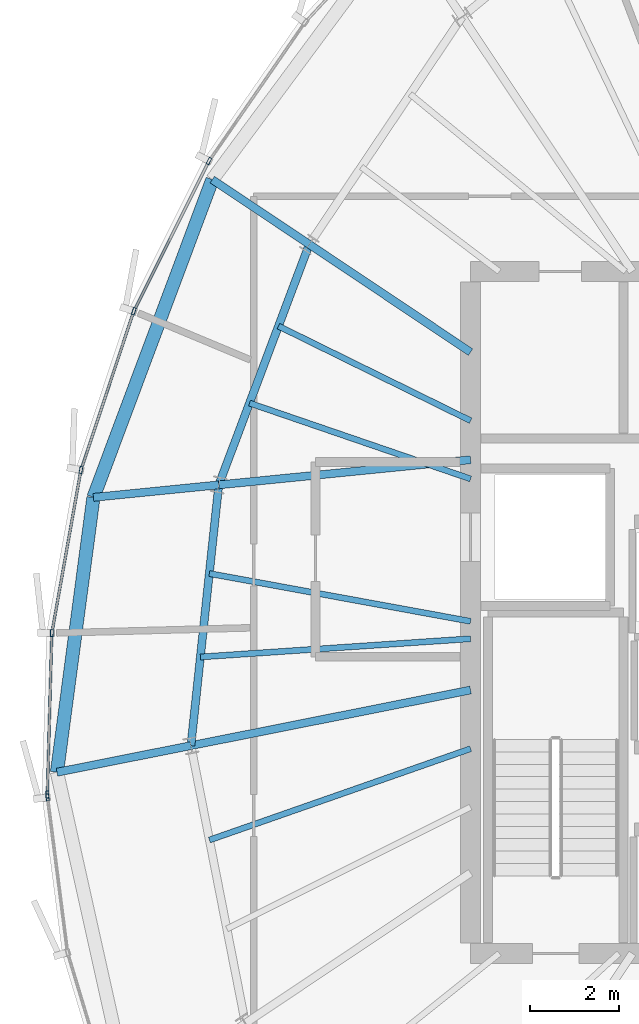
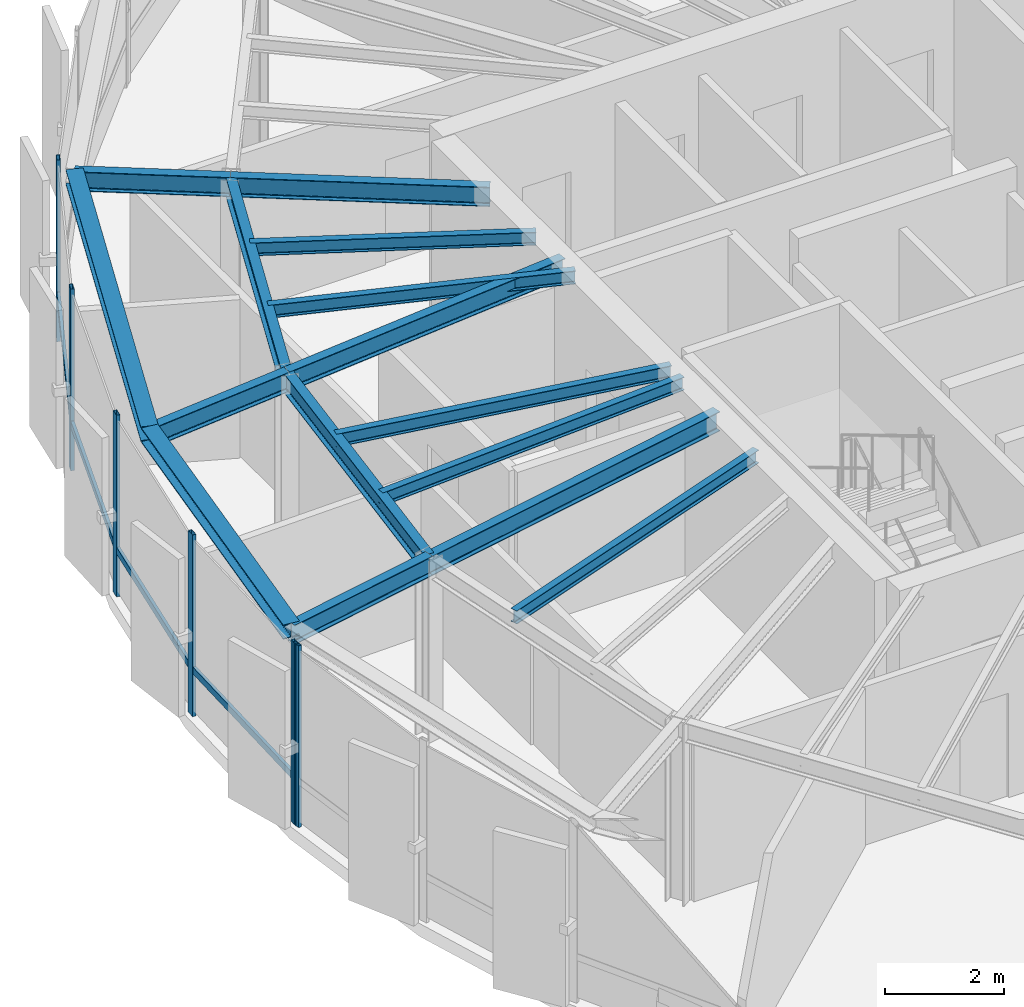
# One storey, part 10 of 25: 15 beams, 10 members, 2 elements without a shape of their own.
"""IFC4 building model written with IfcOpenShell, lengths in metres."""

from ifc_helpers import new_model, si_unit, direction, frame, origin, origin_2d, place, context, subcontext, project, spatial, hollow_rectangle, i_section, extrude, source, transform, mapped, material, layer, layer_set, material_profile, profile_set, type_object, element, aggregate, save


model = new_model("IFC4")

# Units and contexts
model_context = context("Model", 3, precision=1e-05, world=origin(), true_north=direction((0.0, 1.0)))
body_context = subcontext(model_context, "Body", "Model", "MODEL_VIEW")
ifc_project = project(units=[si_unit("LENGTHUNIT", "METRE"), si_unit("AREAUNIT", "SQUARE_METRE"), si_unit("VOLUMEUNIT", "CUBIC_METRE"), si_unit("PLANEANGLEUNIT", "RADIAN"), si_unit("MASSUNIT", "GRAM", prefix="KILO"), si_unit("THERMODYNAMICTEMPERATUREUNIT", "KELVIN")], contexts=[model_context])

# Site, building, storey
site_placement = place(None, origin())
site = spatial("IfcSite", under=ifc_project, at=site_placement, CompositionType="ELEMENT")
building_placement = place(site_placement, origin())
building = spatial("IfcBuilding", under=site, at=building_placement, Name="Kethvar Cultural Tower", CompositionType="ELEMENT")
storey_placement = place(building_placement, frame((0.0, 0.0, 304.300048828125)))
storey = spatial("IfcBuildingStorey", under=building, at=storey_placement, Name="L81", CompositionType="ELEMENT", Elevation=304.300048828125)

# Beams
ifc_material_1 = material(Name="Steel S355J2", Category="steel")
ifc_material_profile_1 = material_profile(ifc_material_1, i_section(OverallWidth=0.135009765625, OverallDepth=0.27001953125, WebThickness=0.006591796875, FlangeThickness=0.01025390625, FilletRadius=0.014892578125, at=origin_2d()), Name="Steel S355J2 — IPE270")
ifc_profile_set_1 = profile_set([ifc_material_profile_1], Name="Steel S355J2 — IPE270")
beam_type_1 = type_object("IfcBeamType", Name="BM-J270", PredefinedType="JOIST", material=ifc_profile_set_1)
shared_shape_1 = source(origin(), body_context, "Body", "SweptSolid", [
    extrude(i_section(OverallWidth=0.135009765625, OverallDepth=0.27001953125, WebThickness=0.006591796875, FlangeThickness=0.01025390625, FilletRadius=0.014892578125, at=origin_2d()), origin(), (0.0, 0.0, 1.0), 4.8359375),
])
beam_1_placement = place(storey_placement, frame((38.0, 32.1318359375, 3.597900390625), z_axis=(-0.897196527088, 0.441631511308, 0.0), x_axis=(-0.441631511308, -0.897196527088, 0.0)))
element("IfcBeam", 1, at=beam_1_placement, inside=storey, type_object=beam_type_1, Name="L81 Composite Floor Joist J-07A", PredefinedType="JOIST", context=body_context, shape_type="MappedRepresentation", body=[
    mapped(shared_shape_1, transform((0.0, 0.0, 0.0), scale=1.0)),
])
shared_shape_2 = source(origin(), body_context, "Body", "SweptSolid", [
    extrude(i_section(OverallWidth=0.135009765625, OverallDepth=0.27001953125, WebThickness=0.006591796875, FlangeThickness=0.01025390625, FilletRadius=0.014892578125, at=origin_2d()), origin(), (0.0, 0.0, 1.0), 5.2783203125),
])
beam_2_placement = place(storey_placement, frame((38.0, 30.817138671875, 3.597900390625), z_axis=(-0.945942702368, 0.324333784607, 0.0), x_axis=(-0.324333784607, -0.945942702368, 0.0)))
element("IfcBeam", 2, at=beam_2_placement, inside=storey, type_object=beam_type_1, Name="L81 Composite Floor Joist J-07B", PredefinedType="JOIST", context=body_context, shape_type="MappedRepresentation", body=[
    mapped(shared_shape_2, transform((0.0, 0.0, 0.0), scale=1.0)),
])
shared_shape_3 = source(origin(), body_context, "Body", "SweptSolid", [
    extrude(i_section(OverallWidth=0.135009765625, OverallDepth=0.27001953125, WebThickness=0.006591796875, FlangeThickness=0.01025390625, FilletRadius=0.014892578125, at=origin_2d()), origin(), (0.0, 0.0, 1.0), 5.99951171875),
])
beam_3_placement = place(storey_placement, frame((38.0, 27.60009765625, 3.597900390625), z_axis=(-0.983676616141, 0.179945310742, 0.0), x_axis=(-0.179945310742, -0.983676616141, 0.0)))
element("IfcBeam", 3, at=beam_3_placement, inside=storey, type_object=beam_type_1, Name="L81 Composite Floor Joist J-08A", PredefinedType="JOIST", context=body_context, shape_type="MappedRepresentation", body=[
    mapped(shared_shape_3, transform((0.0, 0.0, 0.0), scale=1.0)),
])
shared_shape_4 = source(origin(), body_context, "Body", "SweptSolid", [
    extrude(i_section(OverallWidth=0.135009765625, OverallDepth=0.27001953125, WebThickness=0.006591796875, FlangeThickness=0.01025390625, FilletRadius=0.014892578125, at=origin_2d()), origin(), (0.0, 0.0, 1.0), 6.116943359375),
])
beam_4_placement = place(storey_placement, frame((38.0, 27.206787109375, 3.597900390625), z_axis=(-0.997733289627, -0.067292516454, 0.0), x_axis=(0.067292516454, -0.997733289627, 0.0)))
element("IfcBeam", 4, at=beam_4_placement, inside=storey, type_object=beam_type_1, Name="L81 Composite Floor Joist J-08B", PredefinedType="JOIST", context=body_context, shape_type="MappedRepresentation", body=[
    mapped(shared_shape_4, transform((0.0, 0.0, 0.0), scale=1.0)),
])
shared_shape_5 = source(origin(), body_context, "Body", "SweptSolid", [
    extrude(i_section(OverallWidth=0.135009765625, OverallDepth=0.27001953125, WebThickness=0.006591796875, FlangeThickness=0.01025390625, FilletRadius=0.014892578125, at=origin_2d()), origin(), (0.0, 0.0, 1.0), 6.248779296875),
])
beam_5_placement = place(storey_placement, frame((38.0, 24.722900390625, 3.597900390625), z_axis=(-0.943960031743, -0.330059780148, 0.0), x_axis=(0.330059780148, -0.943960031743, 0.0)))
element("IfcBeam", 5, at=beam_5_placement, inside=storey, type_object=beam_type_1, Name="L81 Composite Floor Joist J-09A", PredefinedType="JOIST", context=body_context, shape_type="MappedRepresentation", body=[
    mapped(shared_shape_5, transform((0.0, 0.0, 0.0), scale=1.0)),
])
ifc_material_profile_2 = material_profile(ifc_material_1, i_section(OverallWidth=0.179931640625, OverallDepth=0.39990234375, WebThickness=0.008544921875, FlangeThickness=0.013427734375, FilletRadius=0.02099609375, at=origin_2d()), Name="Steel S355J2 — IPE400")
ifc_profile_set_2 = profile_set([ifc_material_profile_2], Name="Steel S355J2 — IPE400")
beam_type_2 = type_object("IfcBeamType", Name="BM-IPE400", PredefinedType="BEAM", material=ifc_profile_set_2)
shared_shape_6 = source(origin(), body_context, "Body", "SweptSolid", [
    extrude(i_section(OverallWidth=0.179931640625, OverallDepth=0.39990234375, WebThickness=0.008544921875, FlangeThickness=0.013427734375, FilletRadius=0.02099609375, at=origin_2d()), origin(), (0.0, 0.0, 1.0), 4.3828125),
])
beam_6_placement = place(storey_placement, frame((38.0, 33.679931640625, 3.532958984375), z_axis=(-0.831449909861, 0.555599718676, 0.0), x_axis=(-0.555599718676, -0.831449909861, 0.0)))
element("IfcBeam", 6, at=beam_6_placement, inside=storey, type_object=beam_type_2, Name="L81 Primary Radial Beam RB-07", PredefinedType="BEAM", context=body_context, shape_type="MappedRepresentation", body=[
    mapped(shared_shape_6, transform((0.0, 0.0, 0.0), scale=1.0)),
])
shared_shape_7 = source(origin(), body_context, "Body", "SweptSolid", [
    extrude(i_section(OverallWidth=0.179931640625, OverallDepth=0.39990234375, WebThickness=0.008544921875, FlangeThickness=0.013427734375, FilletRadius=0.02099609375, at=origin_2d()), origin(), (0.0, 0.0, 1.0), 2.632568359375),
])
beam_7_placement = place(storey_placement, frame((34.35595703125, 36.114990234375, 3.532958984375), z_axis=(-0.831507724007, 0.555513190587, 0.0), x_axis=(-0.555513190587, -0.831507724007, 0.0)))
element("IfcBeam", 7, at=beam_7_placement, inside=storey, type_object=beam_type_2, Name="L81 Perimeter Cantilever Beam RC-07", PredefinedType="BEAM", context=body_context, shape_type="MappedRepresentation", body=[
    mapped(shared_shape_7, transform((0.0, 0.0, 0.0), scale=1.0)),
])
shared_shape_8 = source(origin(), body_context, "Body", "SweptSolid", [
    extrude(i_section(OverallWidth=0.179931640625, OverallDepth=0.39990234375, WebThickness=0.008544921875, FlangeThickness=0.013427734375, FilletRadius=0.02099609375, at=origin_2d()), origin(), (0.0, 0.0, 1.0), 5.7158203125),
])
beam_8_placement = place(storey_placement, frame((38.0, 31.25, 3.532958984375), z_axis=(-0.995048179628, -0.099393763478, 0.0), x_axis=(0.099393763478, -0.995048179628, 0.0)))
element("IfcBeam", 8, at=beam_8_placement, inside=storey, type_object=beam_type_2, Name="L81 Primary Radial Beam RB-08", PredefinedType="BEAM", context=body_context, shape_type="MappedRepresentation", body=[
    mapped(shared_shape_8, transform((0.0, 0.0, 0.0), scale=1.0)),
])
shared_shape_9 = source(origin(), body_context, "Body", "SweptSolid", [
    extrude(i_section(OverallWidth=0.179931640625, OverallDepth=0.39990234375, WebThickness=0.008544921875, FlangeThickness=0.013427734375, FilletRadius=0.02099609375, at=origin_2d()), origin(), (0.0, 0.0, 1.0), 2.844970703125),
])
beam_9_placement = place(storey_placement, frame((32.3125, 30.681884765625, 3.532958984375), z_axis=(-0.995041437641, -0.099461235552, 0.0), x_axis=(0.099461235552, -0.995041437641, 0.0)))
element("IfcBeam", 9, at=beam_9_placement, inside=storey, type_object=beam_type_2, Name="L81 Perimeter Cantilever Beam RC-08", PredefinedType="BEAM", context=body_context, shape_type="MappedRepresentation", body=[
    mapped(shared_shape_9, transform((0.0, 0.0, 0.0), scale=1.0)),
])
shared_shape_10 = source(origin(), body_context, "Body", "SweptSolid", [
    extrude(i_section(OverallWidth=0.179931640625, OverallDepth=0.39990234375, WebThickness=0.008544921875, FlangeThickness=0.013427734375, FilletRadius=0.02099609375, at=origin_2d()), origin(), (0.0, 0.0, 1.0), 6.440673828125),
])
beam_10_placement = place(storey_placement, frame((38.0, 26.049560546875, 3.532958984375), z_axis=(-0.980782804096, -0.195102770839, 0.0), x_axis=(0.195102770839, -0.980782804096, 0.0)))
element("IfcBeam", 10, at=beam_10_placement, inside=storey, type_object=beam_type_2, Name="L81 Primary Radial Beam RB-09", PredefinedType="BEAM", context=body_context, shape_type="MappedRepresentation", body=[
    mapped(shared_shape_10, transform((0.0, 0.0, 0.0), scale=1.0)),
])
shared_shape_11 = source(origin(), body_context, "Body", "SweptSolid", [
    extrude(i_section(OverallWidth=0.179931640625, OverallDepth=0.39990234375, WebThickness=0.008544921875, FlangeThickness=0.013427734375, FilletRadius=0.02099609375, at=origin_2d()), origin(), (0.0, 0.0, 1.0), 3.084716796875),
])
beam_11_placement = place(storey_placement, frame((31.68310546875, 24.79296875, 3.532958984375), z_axis=(-0.980799241766, -0.195020120377, 0.0), x_axis=(0.195020120377, -0.980799241766, 0.0)))
element("IfcBeam", 11, at=beam_11_placement, inside=storey, type_object=beam_type_2, Name="L81 Perimeter Cantilever Beam RC-09", PredefinedType="BEAM", context=body_context, shape_type="MappedRepresentation", body=[
    mapped(shared_shape_11, transform((0.0, 0.0, 0.0), scale=1.0)),
])
shared_shape_12 = source(origin(), body_context, "Body", "SweptSolid", [
    extrude(i_section(OverallWidth=0.179931640625, OverallDepth=0.39990234375, WebThickness=0.008544921875, FlangeThickness=0.013427734375, FilletRadius=0.02099609375, at=origin_2d()), origin(), (0.0, 0.0, 1.0), 5.8046875),
])
beam_12_placement = place(storey_placement, frame((34.35595703125, 36.114990234375, 3.532958984375), z_axis=(-0.352035902861, -0.935986497283, 0.0), x_axis=(0.935986497283, -0.352035902861, 0.0)))
element("IfcBeam", 12, at=beam_12_placement, inside=storey, type_object=beam_type_2, Name="L81 Column Ring Tie Beam CR-07", PredefinedType="BEAM", context=body_context, shape_type="MappedRepresentation", body=[
    mapped(shared_shape_12, transform((0.0, 0.0, 0.0), scale=1.0)),
])
ifc_material_profile_3 = material_profile(ifc_material_1, i_section(OverallWidth=0.300048828125, OverallDepth=0.300048828125, WebThickness=0.010986328125, FlangeThickness=0.01904296875, FilletRadius=0.027099609375, at=origin_2d()), Name="Steel S355J2 — HEB300")
ifc_profile_set_3 = profile_set([ifc_material_profile_3], Name="Steel S355J2 — HEB300")
beam_type_3 = type_object("IfcBeamType", Name="BM-SP300", PredefinedType="SPANDREL", material=ifc_profile_set_3)
shared_shape_13 = source(origin(), body_context, "Body", "SweptSolid", [
    extrude(i_section(OverallWidth=0.300048828125, OverallDepth=0.300048828125, WebThickness=0.010986328125, FlangeThickness=0.01904296875, FilletRadius=0.027099609375, at=origin_2d()), origin(), (0.0, 0.0, 1.0), 7.664306640625),
])
beam_13_placement = place(storey_placement, frame((32.1669921875, 37.577392578125, 3.5830078125), z_axis=(-0.350365804466, -0.936612941968, 0.0), x_axis=(0.936612941968, -0.350365804466, 0.0)))
element("IfcBeam", 13, at=beam_13_placement, inside=storey, type_object=beam_type_3, Name="L81 Perimeter Spandrel Beam SP-07", PredefinedType="SPANDREL", context=body_context, shape_type="MappedRepresentation", body=[
    mapped(shared_shape_13, transform((0.0, 0.0, 0.0), scale=1.0)),
])
shared_shape_14 = source(origin(), body_context, "Body", "SweptSolid", [
    extrude(i_section(OverallWidth=0.179931640625, OverallDepth=0.39990234375, WebThickness=0.008544921875, FlangeThickness=0.013427734375, FilletRadius=0.02099609375, at=origin_2d()), origin(), (0.0, 0.0, 1.0), 5.92236328125),
])
beam_14_placement = place(storey_placement, frame((32.3125, 30.681884765625, 3.532958984375), z_axis=(-0.106272578913, -0.994337034899, 0.0), x_axis=(0.994337034899, -0.106272578913, 0.0)))
element("IfcBeam", 14, at=beam_14_placement, inside=storey, type_object=beam_type_2, Name="L81 Column Ring Tie Beam CR-08", PredefinedType="BEAM", context=body_context, shape_type="MappedRepresentation", body=[
    mapped(shared_shape_14, transform((0.0, 0.0, 0.0), scale=1.0)),
])
shared_shape_15 = source(origin(), body_context, "Body", "SweptSolid", [
    extrude(i_section(OverallWidth=0.300048828125, OverallDepth=0.300048828125, WebThickness=0.010986328125, FlangeThickness=0.01904296875, FilletRadius=0.027099609375, at=origin_2d()), origin(), (0.0, 0.0, 1.0), 6.261962890625),
])
beam_15_placement = place(storey_placement, frame((29.481689453125, 30.39892578125, 3.5830078125), z_axis=(-0.131583987345, -0.991305025849, 0.0), x_axis=(0.991305025849, -0.131583987345, 0.0)))
element("IfcBeam", 15, at=beam_15_placement, inside=storey, type_object=beam_type_3, Name="L81 Perimeter Spandrel Beam SP-08", PredefinedType="SPANDREL", context=body_context, shape_type="MappedRepresentation", body=[
    mapped(shared_shape_15, transform((0.0, 0.0, 0.0), scale=1.0)),
])

# Curtain wall, members
ifc_material_2 = material(Name="Aluminium 6063-T6", Category="aluminium")
ifc_layer = layer(ifc_material_2, 0.179931640625, Name="Aluminium 6063-T6", Category="aluminium")
ifc_layer_set = layer_set([ifc_layer], Name="Aluminium 6063-T6 (180 mm)")
curtain_wall_type = type_object("IfcCurtainWallType", Name="CW-SYS-06-CROWN", PredefinedType="NOTDEFINED", material=ifc_layer_set)
curtain_wall_1_placement = place(storey_placement, origin())
curtain_wall_1 = element("IfcCurtainWall", 16, at=curtain_wall_1_placement, inside=storey, type_object=curtain_wall_type, Name="L81 Curtain Wall Run 02", PredefinedType="NOTDEFINED")
ifc_material_profile_4 = material_profile(ifc_material_2, hollow_rectangle(XDim=0.06494140625, YDim=0.159912109375, WallThickness=0.0048828125, at=origin_2d()), Name="Aluminium 6063-T6 — RHS160x65x5")
ifc_profile_set_4 = profile_set([ifc_material_profile_4], Name="Aluminium 6063-T6 — RHS160x65x5")
member_type_1 = type_object("IfcMemberType", Name="CW-SYS-06-CROWN-MUL", PredefinedType="MULLION", material=ifc_profile_set_4)
shared_shape_16 = source(origin(), body_context, "Body", "SweptSolid", [
    extrude(hollow_rectangle(XDim=0.06494140625, YDim=0.159912109375, WallThickness=0.0048828125, at=origin_2d()), origin(), (0.0, 0.0, 1.0), 3.73486328125),
])
member_1_placement = place(storey_placement, frame((32.09326171875, 37.99853515625, 0.0), z_axis=(0.0, 0.0, 1.0), x_axis=(0.894255807137, -0.447556199154, 0.0)))
member_1 = element("IfcMember", 17, at=member_1_placement, type_object=member_type_1, Name="CW-L81-R02 Mullion 3", PredefinedType="MULLION", context=body_context, shape_type="MappedRepresentation", body=[
    mapped(shared_shape_16, transform((0.0, 0.0, 0.0), scale=1.0)),
])
member_2_placement = place(storey_placement, frame((30.3935546875, 34.60498046875, 0.0), z_axis=(0.0, 0.0, 1.0), x_axis=(0.948892537689, -0.315599353483, 0.0)))
member_2 = element("IfcMember", 18, at=member_2_placement, type_object=member_type_1, Name="CW-L81-R02 Mullion 4", PredefinedType="MULLION", context=body_context, shape_type="MappedRepresentation", body=[
    mapped(shared_shape_16, transform((0.0, 0.0, 0.0), scale=1.0)),
])
member_3_placement = place(storey_placement, frame((29.19921875, 31.0185546875, 0.0), z_axis=(0.0, 0.0, 1.0), x_axis=(0.984469493836, -0.175555733901, 0.0)))
member_3 = element("IfcMember", 19, at=member_3_placement, type_object=member_type_1, Name="CW-L81-R02 Mullion 5", PredefinedType="MULLION", context=body_context, shape_type="MappedRepresentation", body=[
    mapped(shared_shape_16, transform((0.0, 0.0, 0.0), scale=1.0)),
])
member_4_placement = place(storey_placement, frame((28.541015625, 27.33447265625, 0.0), z_axis=(0.0, 0.0, 1.0), x_axis=(0.999619800631, -0.027572707275, 0.0)))
member_4 = element("IfcMember", 20, at=member_4_placement, type_object=member_type_1, Name="CW-L81-R02 Mullion 6", PredefinedType="MULLION", context=body_context, shape_type="MappedRepresentation", body=[
    mapped(shared_shape_16, transform((0.0, 0.0, 0.0), scale=1.0)),
])
member_5_placement = place(storey_placement, frame((28.4404296875, 23.68896484375, 0.0), z_axis=(0.0, 0.0, 1.0), x_axis=(0.999619800631, -0.027572707275, 0.0)))
member_5 = element("IfcMember", 21, at=member_5_placement, type_object=member_type_1, Name="CW-L81-R02 Mullion 7", PredefinedType="MULLION", context=body_context, shape_type="MappedRepresentation", body=[
    mapped(shared_shape_16, transform((0.0, 0.0, 0.0), scale=1.0)),
])

# Curtain wall, member
curtain_wall_2_placement = place(storey_placement, origin())
curtain_wall_2 = element("IfcCurtainWall", 22, at=curtain_wall_2_placement, inside=storey, type_object=curtain_wall_type, Name="L81 Curtain Wall Run 03", PredefinedType="NOTDEFINED")
member_6_placement = place(storey_placement, frame((28.443603515625, 23.62353515625, 0.0), z_axis=(0.0, 0.0, 1.0), x_axis=(0.991769777877, 0.128034009892, 0.0)))
member_6 = element("IfcMember", 23, at=member_6_placement, type_object=member_type_1, Name="CW-L81-R03 Mullion 1", PredefinedType="MULLION", context=body_context, shape_type="MappedRepresentation", body=[
    mapped(shared_shape_16, transform((0.0, 0.0, 0.0), scale=1.0)),
])
aggregate(curtain_wall_2, [member_6])

# Member
ifc_material_profile_5 = material_profile(ifc_material_2, hollow_rectangle(XDim=0.06005859375, YDim=0.139892578125, WallThickness=0.0048828125, at=origin_2d()), Name="Aluminium 6063-T6 — RHS140x60x5")
ifc_profile_set_5 = profile_set([ifc_material_profile_5], Name="Aluminium 6063-T6 — RHS140x60x5")
member_type_2 = type_object("IfcMemberType", Name="CW-SYS-06-CROWN-TRN", PredefinedType="USERDEFINED", material=ifc_profile_set_5)
shared_shape_17 = source(origin(), body_context, "Body", "SweptSolid", [
    extrude(hollow_rectangle(XDim=0.06005859375, YDim=0.139892578125, WallThickness=0.0048828125, at=origin_2d()), origin(), (0.0, 0.0, 1.0), 3.718994140625),
])
member_7_placement = place(storey_placement, frame((32.072265625, 37.956787109375, 0.949951171875), z_axis=(-0.447528682558, -0.894269578085, 0.0), x_axis=(0.894269578085, -0.447528682558, 0.0)))
member_7 = element("IfcMember", 24, at=member_7_placement, type_object=member_type_2, Name="CW-L81-R02 Transom 3", ObjectType="TRANSOM", PredefinedType="USERDEFINED", context=body_context, shape_type="MappedRepresentation", body=[
    mapped(shared_shape_17, transform((0.0, 0.0, 0.0), scale=1.0)),
])

shared_shape_18 = source(origin(), body_context, "Body", "SweptSolid", [
    extrude(hollow_rectangle(XDim=0.06005859375, YDim=0.139892578125, WallThickness=0.0048828125, at=origin_2d()), origin(), (0.0, 0.0, 1.0), 3.703857421875),
])
member_8_placement = place(storey_placement, frame((30.378662109375, 34.560791015625, 0.949951171875), z_axis=(-0.315594923896, -0.948894010947, 0.0), x_axis=(0.948894010947, -0.315594923896, 0.0)))
member_8 = element("IfcMember", 25, at=member_8_placement, type_object=member_type_2, Name="CW-L81-R02 Transom 4", ObjectType="TRANSOM", PredefinedType="USERDEFINED", context=body_context, shape_type="MappedRepresentation", body=[
    mapped(shared_shape_18, transform((0.0, 0.0, 0.0), scale=1.0)),
])

shared_shape_19 = source(origin(), body_context, "Body", "SweptSolid", [
    extrude(hollow_rectangle(XDim=0.06005859375, YDim=0.139892578125, WallThickness=0.0048828125, at=origin_2d()), origin(), (0.0, 0.0, 1.0), 3.66650390625),
])
member_9_placement = place(storey_placement, frame((29.19091796875, 30.972412109375, 0.949951171875), z_axis=(-0.175520995168, -0.984475687996, 0.0), x_axis=(0.984475687996, -0.175520995168, 0.0)))
member_9 = element("IfcMember", 26, at=member_9_placement, type_object=member_type_2, Name="CW-L81-R02 Transom 5", ObjectType="TRANSOM", PredefinedType="USERDEFINED", context=body_context, shape_type="MappedRepresentation", body=[
    mapped(shared_shape_19, transform((0.0, 0.0, 0.0), scale=1.0)),
])

shared_shape_20 = source(origin(), body_context, "Body", "SweptSolid", [
    extrude(hollow_rectangle(XDim=0.06005859375, YDim=0.139892578125, WallThickness=0.0048828125, at=origin_2d()), origin(), (0.0, 0.0, 1.0), 3.595458984375),
])
member_10_placement = place(storey_placement, frame((28.539794921875, 27.28759765625, 0.949951171875), z_axis=(-0.027637017597, -0.999618024677, 0.0), x_axis=(0.999618024677, -0.027637017597, 0.0)))
member_10 = element("IfcMember", 27, at=member_10_placement, type_object=member_type_2, Name="CW-L81-R02 Transom 6", ObjectType="TRANSOM", PredefinedType="USERDEFINED", context=body_context, shape_type="MappedRepresentation", body=[
    mapped(shared_shape_20, transform((0.0, 0.0, 0.0), scale=1.0)),
])

aggregate(curtain_wall_1, [member_1, member_2, member_3, member_4, member_5, member_7, member_8, member_9, member_10])

save(model, "model.ifc")
